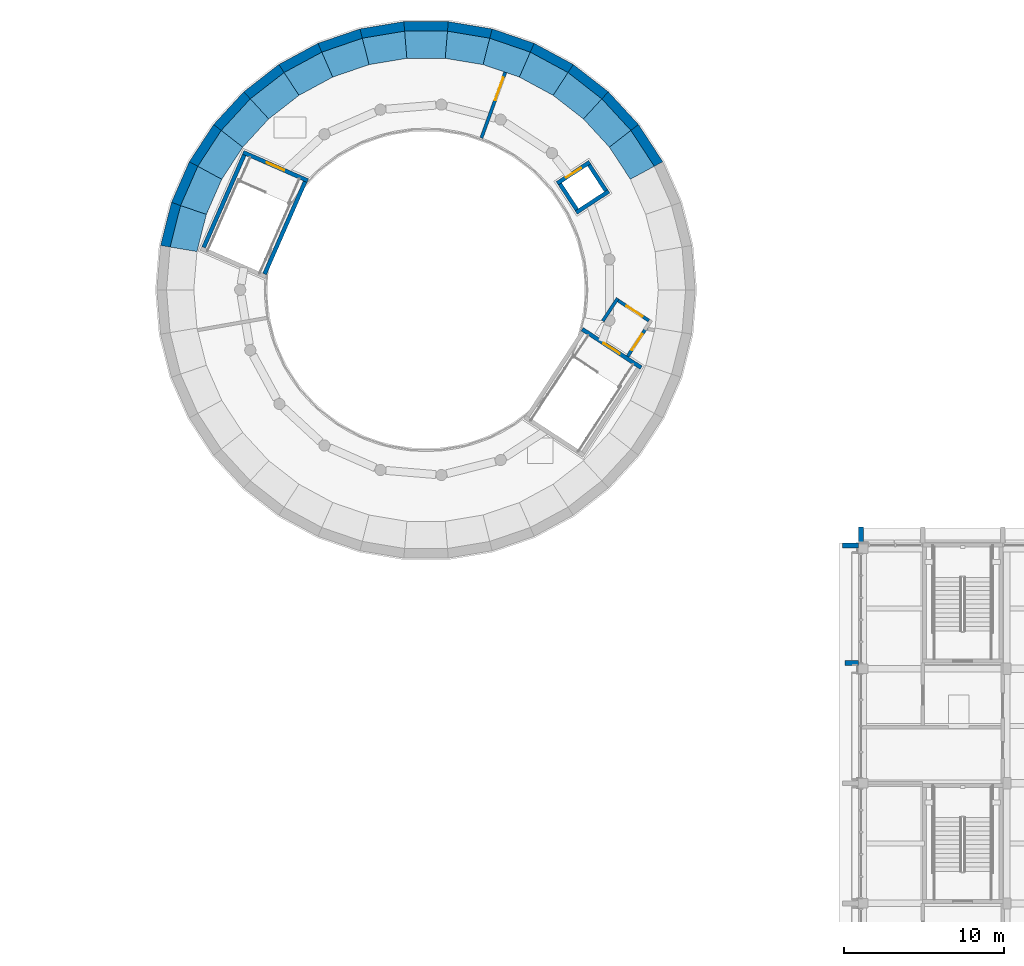
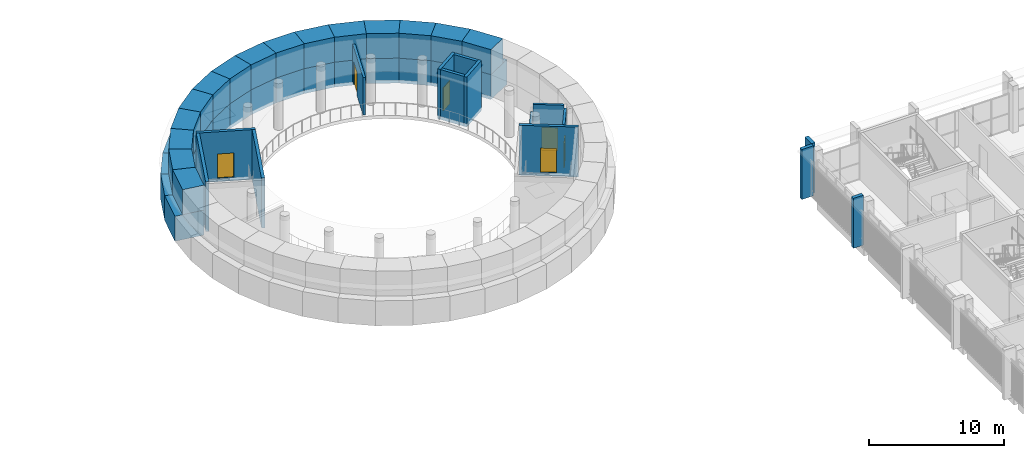
# One storey, part 53 of 92: 45 walls, 6 doors, 6 openings.
"""IFC4 building model written with IfcOpenShell, lengths in metres."""

from ifc_helpers import new_model, si_unit, direction, frame, frame_2d, origin, place, context, subcontext, project, spatial, polyline, rectangle, outline, extrude, material, layer, layer_set, type_object, element, fill, save


model = new_model("IFC4")

# Units and contexts
model_context = context("Model", 3, precision=1e-05, world=origin(), true_north=direction((0.0, 1.0)))
body_context = subcontext(model_context, "Body", "Model", "MODEL_VIEW")
ifc_project = project(units=[si_unit("LENGTHUNIT", "METRE"), si_unit("AREAUNIT", "SQUARE_METRE"), si_unit("VOLUMEUNIT", "CUBIC_METRE"), si_unit("PLANEANGLEUNIT", "RADIAN"), si_unit("MASSUNIT", "GRAM", prefix="KILO")], contexts=[model_context])

# Site, building, storey
site_placement = place(None, origin())
site = spatial("IfcSite", under=ifc_project, at=site_placement, CompositionType="ELEMENT")
building_placement = place(site_placement, origin())
building = spatial("IfcBuilding", under=site, at=building_placement, Name="Sun Court Science Centre", CompositionType="ELEMENT")
storey_placement = place(building_placement, frame((0.0, 0.0, 11.25)))
storey = spatial("IfcBuildingStorey", under=building, at=storey_placement, Name="L02", CompositionType="ELEMENT", Elevation=11.25)

# Walls
ifc_material_1 = material(Name="Concrete C30/37", Category="concrete")
ifc_layer_1 = layer(ifc_material_1, 0.300048828125)
ifc_layer_set_1 = layer_set([ifc_layer_1], Name="Concrete C30/37")
wall_type_1 = type_object("IfcWallType", Name="Facade fin RC 300", PredefinedType="SOLIDWALL", material=ifc_layer_set_1)
wall_1_placement = place(storey_placement, frame((77.14990234375, 73.5, 0.0), z_axis=(0.0, 0.0, 1.0), x_axis=(1.0, 0.0, 0.0)))
element("IfcWall", 1, at=wall_1_placement, inside=storey, type_object=wall_type_1, Name="Facade fin 10 L02", PredefinedType="SOLIDWALL", context=body_context, shape_type="SweptSolid", body=[
    extrude(rectangle(XDim=0.85009765625, YDim=0.300048828125, at=frame_2d((0.425048828125, 0.0))), origin(), (0.0, 0.0, 1.0), 4.5),
])
for number, where, z_axis, x_axis, name in (
    (2, (77.0, 80.85009765625, 0.0), (0.0, 0.0, 1.0), (1.0, 0.0, 0.0), "Facade fin 11 L02"),
    (3, (78.14990234375, 81.0, 0.0), (0.0, 0.0, 1.0), (0.0, 1.0, 0.0), "Facade fin north 01 L02"),
):
    element("IfcWall", number, at=place(storey_placement, frame(where, z_axis=z_axis, x_axis=x_axis)), inside=storey, type_object=wall_type_1, Name=name, PredefinedType="SOLIDWALL", context=body_context, shape_type="SweptSolid", body=[
        extrude(rectangle(XDim=1.0, YDim=0.300048828125, at=frame_2d((0.5, 0.0))), origin(), (0.0, 0.0, 1.0), 4.5),
    ])

# Wall, opening, door
ifc_material_2 = material(Name="Concrete block", Category="concrete")
ifc_layer_2 = layer(ifc_material_2, 0.199951171875)
ifc_layer_set_2 = layer_set([ifc_layer_2], Name="Concrete block")
wall_type_2 = type_object("IfcWallType", Name="Partition 200 block EI60", PredefinedType="PARTITIONING", material=ifc_layer_set_2)
wall_2_placement = place(storey_placement, frame((63.580810546875, 92.644287109375, 0.0), z_axis=(0.0, 0.0, 1.0), x_axis=(0.546949633936, 0.837165514063, 0.0)))
wall_2 = element("IfcWall", 4, at=wall_2_placement, inside=storey, type_object=wall_type_2, Name="L02 partition 002", PredefinedType="PARTITIONING", context=body_context, shape_type="SweptSolid", body=[
    extrude(rectangle(XDim=2.1728515625, YDim=0.199951171875, at=frame_2d((1.08642578125, 0.0))), origin(), (0.0, 0.0, 1.0), 4.199951171875),
])
opening_1_placement = place(wall_2_placement, frame((0.463134765625, 0.0, 0.0)))
opening_1 = element("IfcOpeningElement", 5, at=opening_1_placement, cuts=wall_2, Name="Opening D-L02-052", PredefinedType="OPENING", context=body_context, shape_type="SweptSolid", body=[
    extrude(rectangle(XDim=1.199951171875, YDim=2.10009765625, at=frame_2d((0.60009765625, 1.050048828125))), frame((0.0, 0.10986328125, 0.0), z_axis=(0.0, -1.0, 0.0), x_axis=(1.0, 0.0, 0.0)), (0.0, 0.0, 1.0), 0.219970703125),
])
ifc_material_3 = material(Name="Steel", Category="steel")
door_type_1 = type_object("IfcDoorType", Name="Door 1200x2100 single leaf FD60", OperationType="NOTDEFINED", PredefinedType="DOOR", material=ifc_material_3)
door_1_placement = place(opening_1_placement, origin())
door_1 = element("IfcDoor", 6, at=door_1_placement, inside=storey, type_object=door_type_1, Name="Door D-L02-052", OperationType="SINGLE_SWING_RIGHT", OverallHeight=2.10009765625, OverallWidth=1.199951171875, PredefinedType="DOOR", context=body_context, shape_type="SweptSolid", body=[
    extrude(rectangle(XDim=1.199951171875, YDim=2.10009765625, at=frame_2d((0.60009765625, 1.050048828125))), frame((0.0, 0.02490234375, 0.0), z_axis=(0.0, -1.0, 0.0), x_axis=(1.0, 0.0, 0.0)), (0.0, 0.0, 1.0), 0.050048828125),
])
fill(opening_1, door_1)

# Wall
wall_3_placement = place(storey_placement, frame((62.033447265625, 94.85400390625, 0.0), z_axis=(0.0, 0.0, 1.0), x_axis=(0.546962048529, 0.837157403043, 0.0)))
element("IfcWall", 7, at=wall_3_placement, inside=storey, type_object=wall_type_2, Name="L02 partition 004", PredefinedType="PARTITIONING", context=body_context, shape_type="SweptSolid", body=[
    extrude(rectangle(XDim=1.6943359375, YDim=0.199951171875, at=frame_2d((0.84716796875, 0.0))), origin(), (0.0, 0.0, 1.0), 3.39990234375),
])

# Wall, opening, door
wall_4_placement = place(storey_placement, frame((54.452880859375, 106.278564453125, 0.0), z_axis=(0.0, 0.0, 1.0), x_axis=(0.342044051152, 0.939683918704, 0.0)))
wall_4 = element("IfcWall", 8, at=wall_4_placement, inside=storey, type_object=wall_type_2, Name="L02 partition 005", PredefinedType="PARTITIONING", context=body_context, shape_type="SweptSolid", body=[
    extrude(rectangle(XDim=4.36328125, YDim=0.199951171875, at=frame_2d((2.181640625, 0.0))), origin(), (0.0, 0.0, 1.0), 3.39990234375),
])
opening_2_placement = place(wall_4_placement, frame((2.51318359375, 0.0, 0.0)))
opening_2 = element("IfcOpeningElement", 9, at=opening_2_placement, cuts=wall_4, Name="Opening D-L02-056", PredefinedType="OPENING", context=body_context, shape_type="SweptSolid", body=[
    extrude(rectangle(XDim=1.5, YDim=2.10009765625, at=frame_2d((0.75, 1.050048828125))), frame((0.0, 0.10986328125, 0.0), z_axis=(0.0, -1.0, 0.0), x_axis=(1.0, 0.0, 0.0)), (0.0, 0.0, 1.0), 0.219970703125),
])
ifc_material_4 = material(Name="Timber", Category="wood")
door_type_2 = type_object("IfcDoorType", Name="Door 1500x2100 double leaf", OperationType="DOUBLE_DOOR_SINGLE_SWING", PredefinedType="DOOR", material=ifc_material_4)
door_2_placement = place(opening_2_placement, origin())
door_2 = element("IfcDoor", 10, at=door_2_placement, inside=storey, type_object=door_type_2, Name="Door D-L02-056", OperationType="DOUBLE_DOOR_SINGLE_SWING", OverallHeight=2.10009765625, OverallWidth=1.5, PredefinedType="DOOR", context=body_context, shape_type="SweptSolid", body=[
    extrude(rectangle(XDim=1.5, YDim=2.10009765625, at=frame_2d((0.75, 1.050048828125))), frame((0.0, 0.02490234375, 0.0), z_axis=(0.0, -1.0, 0.0), x_axis=(1.0, 0.0, 0.0)), (0.0, 0.0, 1.0), 0.050048828125),
])
fill(opening_2, door_2)

wall_5_placement = place(storey_placement, frame((62.98779296875, 96.132568359375, 0.0), z_axis=(0.0, 0.0, 1.0), x_axis=(0.837155155432, -0.546965488613, 0.0)))
wall_5 = element("IfcWall", 11, at=wall_5_placement, inside=storey, type_object=wall_type_2, Name="L02 partition 006", PredefinedType="PARTITIONING", context=body_context, shape_type="SweptSolid", body=[
    extrude(rectangle(XDim=2.294189453125, YDim=0.199951171875, at=frame_2d((1.14697265625, 0.0))), origin(), (0.0, 0.0, 1.0), 4.199951171875),
])
opening_3_placement = place(wall_5_placement, frame((0.629150390625, 0.0, 0.0)))
opening_3 = element("IfcOpeningElement", 12, at=opening_3_placement, cuts=wall_5, Name="Opening D-L02-055", PredefinedType="OPENING", context=body_context, shape_type="SweptSolid", body=[
    extrude(rectangle(XDim=1.199951171875, YDim=2.10009765625, at=frame_2d((0.60009765625, 1.050048828125))), frame((0.0, 0.10986328125, 0.0), z_axis=(0.0, -1.0, 0.0), x_axis=(1.0, 0.0, 0.0)), (0.0, 0.0, 1.0), 0.219970703125),
])
door_3_placement = place(opening_3_placement, origin())
door_3 = element("IfcDoor", 13, at=door_3_placement, inside=storey, type_object=door_type_1, Name="Door D-L02-055", OperationType="SINGLE_SWING_LEFT", OverallHeight=2.10009765625, OverallWidth=1.199951171875, PredefinedType="DOOR", context=body_context, shape_type="SweptSolid", body=[
    extrude(rectangle(XDim=1.199951171875, YDim=2.10009765625, at=frame_2d((0.60009765625, 1.050048828125))), frame((0.0, 0.02490234375, 0.0), z_axis=(0.0, -1.0, 0.0), x_axis=(1.0, 0.0, 0.0)), (0.0, 0.0, 1.0), 0.050048828125),
])
fill(opening_3, door_3)

# Walls
ifc_material_5 = material(Name="Concrete C30/37", Category="concrete")
ifc_layer_3 = layer(ifc_material_5, 1.696044921875)
ifc_layer_set_3 = layer_set([ifc_layer_3], Name="Concrete C30/37")
wall_type_3 = type_object("IfcWallType", Name="RC drum wall exterior 1696", PredefinedType="SHEAR", material=ifc_layer_set_3)
wall_6_placement = place(storey_placement, frame((64.53759765625, 104.046630859375, 1.949951171875), z_axis=(0.0, 0.0, 1.0), x_axis=(-0.546969049206, 0.837152829065, 0.0)))
element("IfcWall", 14, at=wall_6_placement, inside=storey, type_object=wall_type_3, Name="Drum wall L02 course 2 segment 3", PredefinedType="SHEAR", context=body_context, shape_type="SweptSolid", body=[
    extrude(outline(polyline([(-0.000244140625, -0.847900390625), (2.675537109375, -0.84814453125), (2.53515625, 0.847900390625), (0.140380859375, 0.847900390625), (-0.000244140625, -0.847900390625)])), origin(), (0.0, 0.0, 1.0), 2.25),
])
wall_7_placement = place(storey_placement, frame((63.16015625, 106.176025390625, 1.949951171875), z_axis=(0.0, 0.0, 1.0), x_axis=(-0.677256164306, 0.735747298949, 0.0)))
element("IfcWall", 15, at=wall_7_placement, inside=storey, type_object=wall_type_3, Name="Drum wall L02 course 2 segment 4", PredefinedType="SHEAR", context=body_context, shape_type="SweptSolid", body=[
    extrude(outline(polyline([(-0.000244140625, -0.847900390625), (2.675537109375, -0.847900390625), (2.534912109375, 0.84814453125), (0.140380859375, 0.847900390625), (-0.000244140625, -0.847900390625)])), origin(), (0.0, 0.0, 1.0), 2.25),
])
wall_8_placement = place(storey_placement, frame((61.451171875, 108.049560546875, 1.949951171875), z_axis=(0.0, 0.0, 1.0), x_axis=(-0.789140888872, 0.614212225139, 0.0)))
element("IfcWall", 16, at=wall_8_placement, inside=storey, type_object=wall_type_3, Name="Drum wall L02 course 2 segment 5", PredefinedType="SHEAR", context=body_context, shape_type="SweptSolid", body=[
    extrude(outline(polyline([(0.0, -0.847900390625), (2.675537109375, -0.847900390625), (2.53515625, 0.847900390625), (0.140625, 0.847900390625), (0.0, -0.847900390625)])), origin(), (0.0, 0.0, 1.0), 2.25),
])
wall_9_placement = place(storey_placement, frame((59.45703125, 109.616455078125, 1.949951171875), z_axis=(0.0, 0.0, 1.0), x_axis=(-0.879467057999, 0.475959760793, 0.0)))
element("IfcWall", 17, at=wall_9_placement, inside=storey, type_object=wall_type_3, Name="Drum wall L02 course 2 segment 6", PredefinedType="SHEAR", context=body_context, shape_type="SweptSolid", body=[
    extrude(outline(polyline([(0.0, -0.847900390625), (2.675537109375, -0.847900390625), (2.534912109375, 0.84814453125), (0.140625, 0.84814453125), (0.0, -0.847900390625)])), origin(), (0.0, 0.0, 1.0), 2.25),
])
wall_10_placement = place(storey_placement, frame((57.232177734375, 110.83349609375, 1.949951171875), z_axis=(0.0, 0.0, 1.0), x_axis=(-0.945807498305, 0.32472784936, 0.0)))
element("IfcWall", 18, at=wall_10_placement, inside=storey, type_object=wall_type_3, Name="Drum wall L02 course 2 segment 7", PredefinedType="SHEAR", context=body_context, shape_type="SweptSolid", body=[
    extrude(outline(polyline([(0.0, -0.847900390625), (2.67578125, -0.847900390625), (2.53515625, 0.84814453125), (0.140380859375, 0.847900390625), (0.0, -0.847900390625)])), origin(), (0.0, 0.0, 1.0), 2.25),
])
wall_11_placement = place(storey_placement, frame((54.83740234375, 111.66796875, 1.949951171875), z_axis=(0.0, 0.0, 1.0), x_axis=(-0.986359376913, 0.164606134686, 0.0)))
element("IfcWall", 19, at=wall_11_placement, inside=storey, type_object=wall_type_3, Name="Drum wall L02 course 2 segment 8", PredefinedType="SHEAR", context=body_context, shape_type="SweptSolid", body=[
    extrude(outline(polyline([(0.000244140625, -0.847900390625), (2.675537109375, -0.84765625), (2.53515625, 0.84814453125), (0.140625, 0.84814453125), (0.000244140625, -0.847900390625)])), origin(), (0.0, 0.0, 1.0), 2.25),
])
wall_12_placement = place(storey_placement, frame((52.337890625, 112.0966796875, 1.949951171875), z_axis=(0.0, 0.0, 1.0), x_axis=(-1.0, 0.0, 0.0)))
element("IfcWall", 20, at=wall_12_placement, inside=storey, type_object=wall_type_3, Name="Drum wall L02 course 2 segment 9", PredefinedType="SHEAR", context=body_context, shape_type="SweptSolid", body=[
    extrude(outline(polyline([(0.0, -0.847900390625), (2.67578125, -0.847900390625), (2.53515625, 0.847900390625), (0.140625, 0.847900390625), (0.0, -0.847900390625)])), origin(), (0.0, 0.0, 1.0), 2.25),
])
wall_13_placement = place(storey_placement, frame((49.8017578125, 112.1083984375, 1.949951171875), z_axis=(0.0, 0.0, 1.0), x_axis=(-0.986359376913, -0.164606134686, 0.0)))
element("IfcWall", 21, at=wall_13_placement, inside=storey, type_object=wall_type_3, Name="Drum wall L02 course 2 segment 10", PredefinedType="SHEAR", context=body_context, shape_type="SweptSolid", body=[
    extrude(outline(polyline([(0.0, -0.84765625), (2.675537109375, -0.847900390625), (2.53515625, 0.84814453125), (0.140625, 0.84814453125), (0.0, -0.84765625)])), origin(), (0.0, 0.0, 1.0), 2.25),
])
wall_14_placement = place(storey_placement, frame((47.298583984375, 111.702392578125, 1.949951171875), z_axis=(0.0, 0.0, 1.0), x_axis=(-0.945807498305, -0.32472784936, 0.0)))
element("IfcWall", 22, at=wall_14_placement, inside=storey, type_object=wall_type_3, Name="Drum wall L02 course 2 segment 11", PredefinedType="SHEAR", context=body_context, shape_type="SweptSolid", body=[
    extrude(outline(polyline([(0.0, -0.847900390625), (2.67578125, -0.847900390625), (2.535400390625, 0.847900390625), (0.140625, 0.84814453125), (0.0, -0.847900390625)])), origin(), (0.0, 0.0, 1.0), 2.25),
])
wall_15_placement = place(storey_placement, frame((44.89599609375, 110.889892578125, 1.949951171875), z_axis=(0.0, 0.0, 1.0), x_axis=(-0.879467057999, -0.475959760793, 0.0)))
element("IfcWall", 23, at=wall_15_placement, inside=storey, type_object=wall_type_3, Name="Drum wall L02 course 2 segment 12", PredefinedType="SHEAR", context=body_context, shape_type="SweptSolid", body=[
    extrude(outline(polyline([(0.0, -0.847900390625), (2.675537109375, -0.847900390625), (2.534912109375, 0.84814453125), (0.140625, 0.84814453125), (0.0, -0.847900390625)])), origin(), (0.0, 0.0, 1.0), 2.25),
])
wall_16_placement = place(storey_placement, frame((42.66015625, 109.69287109375, 1.949951171875), z_axis=(0.0, 0.0, 1.0), x_axis=(-0.789140888872, -0.614212225139, 0.0)))
element("IfcWall", 24, at=wall_16_placement, inside=storey, type_object=wall_type_3, Name="Drum wall L02 course 2 segment 13", PredefinedType="SHEAR", context=body_context, shape_type="SweptSolid", body=[
    extrude(outline(polyline([(0.0, -0.847900390625), (2.67529296875, -0.847900390625), (2.534912109375, 0.847900390625), (0.140380859375, 0.847900390625), (0.0, -0.847900390625)])), origin(), (0.0, 0.0, 1.0), 2.25),
])
wall_17_placement = place(storey_placement, frame((40.65185546875, 108.14453125, 1.949951171875), z_axis=(0.0, 0.0, 1.0), x_axis=(-0.677256164306, -0.735747298949, 0.0)))
element("IfcWall", 25, at=wall_17_placement, inside=storey, type_object=wall_type_3, Name="Drum wall L02 course 2 segment 14", PredefinedType="SHEAR", context=body_context, shape_type="SweptSolid", body=[
    extrude(outline(polyline([(0.0, -0.847900390625), (2.67578125, -0.847900390625), (2.53515625, 0.847900390625), (0.140380859375, 0.84814453125), (0.0, -0.847900390625)])), origin(), (0.0, 0.0, 1.0), 2.25),
])
wall_18_placement = place(storey_placement, frame((38.92578125, 106.286376953125, 1.949951171875), z_axis=(0.0, 0.0, 1.0), x_axis=(-0.546969049206, -0.837152829065, 0.0)))
element("IfcWall", 26, at=wall_18_placement, inside=storey, type_object=wall_type_3, Name="Drum wall L02 course 2 segment 15", PredefinedType="SHEAR", context=body_context, shape_type="SweptSolid", body=[
    extrude(outline(polyline([(0.0, -0.84814453125), (2.675537109375, -0.847900390625), (2.534912109375, 0.847900390625), (0.140380859375, 0.847900390625), (0.0, -0.84814453125)])), origin(), (0.0, 0.0, 1.0), 2.25),
])
wall_19_placement = place(storey_placement, frame((37.529052734375, 104.169677734375, 1.949951171875), z_axis=(0.0, 0.0, 1.0), x_axis=(-0.401680291361, -0.915779964583, 0.0)))
element("IfcWall", 27, at=wall_19_placement, inside=storey, type_object=wall_type_3, Name="Drum wall L02 course 2 segment 16", PredefinedType="SHEAR", context=body_context, shape_type="SweptSolid", body=[
    extrude(outline(polyline([(0.0, -0.847900390625), (2.675537109375, -0.847900390625), (2.534912109375, 0.847900390625), (0.140625, 0.847900390625), (0.0, -0.847900390625)])), origin(), (0.0, 0.0, 1.0), 2.25),
])
wall_20_placement = place(storey_placement, frame((36.499755859375, 101.85205078125, 1.949951171875), z_axis=(0.0, 0.0, 1.0), x_axis=(-0.245454430511, -0.969408130017, 0.0)))
element("IfcWall", 28, at=wall_20_placement, inside=storey, type_object=wall_type_3, Name="Drum wall L02 course 2 segment 17", PredefinedType="SHEAR", context=body_context, shape_type="SweptSolid", body=[
    extrude(outline(polyline([(0.000244140625, -0.847900390625), (2.67578125, -0.847900390625), (2.53515625, 0.847900390625), (0.140625, 0.84814453125), (0.000244140625, -0.847900390625)])), origin(), (0.0, 0.0, 1.0), 2.25),
])
ifc_material_6 = material(Name="Concrete C30/37", Category="concrete")
ifc_layer_4 = layer(ifc_material_6, 2.2939453125)
ifc_layer_set_4 = layer_set([ifc_layer_4], Name="Concrete C30/37")
wall_type_4 = type_object("IfcWallType", Name="RC drum wall exterior 2294", PredefinedType="SHEAR", material=ifc_layer_set_4)
wall_21_placement = place(storey_placement, frame((64.81494140625, 104.168701171875, -0.300048828125), z_axis=(0.0, 0.0, 1.0), x_axis=(-0.546960095535, 0.83715867904, 0.0)))
element("IfcWall", 29, at=wall_21_placement, inside=storey, type_object=wall_type_4, Name="Drum wall L02 course 1 segment 3", PredefinedType="SHEAR", context=body_context, shape_type="SweptSolid", body=[
    extrude(outline(polyline([(-0.000244140625, -1.14697265625), (2.774658203125, -1.14697265625), (2.58447265625, 1.14697265625), (0.18994140625, 1.146728515625), (-0.000244140625, -1.14697265625)])), origin(), (0.0, 0.0, 1.0), 2.25),
])
wall_22_placement = place(storey_placement, frame((63.413818359375, 106.342041015625, -0.300048828125), z_axis=(0.0, 0.0, 1.0), x_axis=(-0.677336688258, 0.735673168424, 0.0)))
element("IfcWall", 30, at=wall_22_placement, inside=storey, type_object=wall_type_4, Name="Drum wall L02 course 1 segment 4", PredefinedType="SHEAR", context=body_context, shape_type="SweptSolid", body=[
    extrude(outline(polyline([(0.0, -1.14697265625), (2.7744140625, -1.147216796875), (2.584716796875, 1.14697265625), (0.190185546875, 1.14697265625), (0.0, -1.14697265625)])), origin(), (0.0, 0.0, 1.0), 2.25),
])
wall_23_placement = place(storey_placement, frame((61.673828125, 108.255126953125, -0.300048828125), z_axis=(0.0, 0.0, 1.0), x_axis=(-0.789143690206, 0.614208625963, 0.0)))
element("IfcWall", 31, at=wall_23_placement, inside=storey, type_object=wall_type_4, Name="Drum wall L02 course 1 segment 5", PredefinedType="SHEAR", context=body_context, shape_type="SweptSolid", body=[
    extrude(outline(polyline([(-0.000244140625, -1.14697265625), (2.774658203125, -1.14697265625), (2.584716796875, 1.14697265625), (0.190185546875, 1.14697265625), (-0.000244140625, -1.14697265625)])), origin(), (0.0, 0.0, 1.0), 2.25),
])
wall_24_placement = place(storey_placement, frame((59.642822265625, 109.855712890625, -0.300048828125), z_axis=(0.0, 0.0, 1.0), x_axis=(-0.879474616981, 0.475945793222, 0.0)))
element("IfcWall", 32, at=wall_24_placement, inside=storey, type_object=wall_type_4, Name="Drum wall L02 course 1 segment 6", PredefinedType="SHEAR", context=body_context, shape_type="SweptSolid", body=[
    extrude(outline(polyline([(0.0, -1.14697265625), (2.774658203125, -1.14697265625), (2.58447265625, 1.14697265625), (0.190185546875, 1.14697265625), (0.0, -1.14697265625)])), origin(), (0.0, 0.0, 1.0), 2.25),
])
wall_25_placement = place(storey_placement, frame((57.3759765625, 111.10009765625, -0.300048828125), z_axis=(0.0, 0.0, 1.0), x_axis=(-0.945793902018, 0.324767447423, 0.0)))
element("IfcWall", 33, at=wall_25_placement, inside=storey, type_object=wall_type_4, Name="Drum wall L02 course 1 segment 7", PredefinedType="SHEAR", context=body_context, shape_type="SweptSolid", body=[
    extrude(outline(polyline([(0.0, -1.147216796875), (2.774658203125, -1.14697265625), (2.58447265625, 1.147216796875), (0.18994140625, 1.146728515625), (0.0, -1.147216796875)])), origin(), (0.0, 0.0, 1.0), 2.25),
])
wall_26_placement = place(storey_placement, frame((54.935302734375, 111.95458984375, -0.300048828125), z_axis=(0.0, 0.0, 1.0), x_axis=(-0.986355848148, 0.164627278491, 0.0)))
element("IfcWall", 34, at=wall_26_placement, inside=storey, type_object=wall_type_4, Name="Drum wall L02 course 1 segment 8", PredefinedType="SHEAR", context=body_context, shape_type="SweptSolid", body=[
    extrude(outline(polyline([(-0.000244140625, -1.14697265625), (2.774658203125, -1.146728515625), (2.58447265625, 1.14697265625), (0.18994140625, 1.14697265625), (-0.000244140625, -1.14697265625)])), origin(), (0.0, 0.0, 1.0), 2.25),
])
wall_27_placement = place(storey_placement, frame((52.387451171875, 112.395751953125, -0.300048828125), z_axis=(0.0, 0.0, 1.0), x_axis=(-1.0, 0.0, 0.0)))
element("IfcWall", 35, at=wall_27_placement, inside=storey, type_object=wall_type_4, Name="Drum wall L02 course 1 segment 9", PredefinedType="SHEAR", context=body_context, shape_type="SweptSolid", body=[
    extrude(outline(polyline([(0.000244140625, -1.146728515625), (2.774658203125, -1.146728515625), (2.584716796875, 1.14697265625), (0.190185546875, 1.14697265625), (0.000244140625, -1.146728515625)])), origin(), (0.0, 0.0, 1.0), 2.25),
])
wall_28_placement = place(storey_placement, frame((49.801513671875, 112.411376953125, -0.300048828125), z_axis=(0.0, 0.0, 1.0), x_axis=(-0.986355848148, -0.164627278491, 0.0)))
element("IfcWall", 36, at=wall_28_placement, inside=storey, type_object=wall_type_4, Name="Drum wall L02 course 1 segment 10", PredefinedType="SHEAR", context=body_context, shape_type="SweptSolid", body=[
    extrude(outline(polyline([(0.0, -1.146728515625), (2.77490234375, -1.14697265625), (2.584716796875, 1.14697265625), (0.190185546875, 1.14697265625), (0.0, -1.146728515625)])), origin(), (0.0, 0.0, 1.0), 2.25),
])
wall_29_placement = place(storey_placement, frame((47.248291015625, 112.001220703125, -0.300048828125), z_axis=(0.0, 0.0, 1.0), x_axis=(-0.945793902018, -0.324767447423, 0.0)))
element("IfcWall", 37, at=wall_29_placement, inside=storey, type_object=wall_type_4, Name="Drum wall L02 course 1 segment 11", PredefinedType="SHEAR", context=body_context, shape_type="SweptSolid", body=[
    extrude(outline(polyline([(0.0, -1.14697265625), (2.774658203125, -1.147216796875), (2.584716796875, 1.146728515625), (0.190185546875, 1.147216796875), (0.0, -1.14697265625)])), origin(), (0.0, 0.0, 1.0), 2.25),
])
wall_30_placement = place(storey_placement, frame((44.79736328125, 111.17626953125, -0.300048828125), z_axis=(0.0, 0.0, 1.0), x_axis=(-0.879474616981, -0.475945793222, 0.0)))
element("IfcWall", 38, at=wall_30_placement, inside=storey, type_object=wall_type_4, Name="Drum wall L02 course 1 segment 12", PredefinedType="SHEAR", context=body_context, shape_type="SweptSolid", body=[
    extrude(outline(polyline([(0.0, -1.14697265625), (2.774658203125, -1.14697265625), (2.58447265625, 1.14697265625), (0.190185546875, 1.14697265625), (0.0, -1.14697265625)])), origin(), (0.0, 0.0, 1.0), 2.25),
])
wall_31_placement = place(storey_placement, frame((42.515625, 109.959228515625, -0.300048828125), z_axis=(0.0, 0.0, 1.0), x_axis=(-0.789143690206, -0.614208625963, 0.0)))
element("IfcWall", 39, at=wall_31_placement, inside=storey, type_object=wall_type_4, Name="Drum wall L02 course 1 segment 13", PredefinedType="SHEAR", context=body_context, shape_type="SweptSolid", body=[
    extrude(outline(polyline([(-0.000244140625, -1.14697265625), (2.774658203125, -1.14697265625), (2.584228515625, 1.14697265625), (0.18994140625, 1.14697265625), (-0.000244140625, -1.14697265625)])), origin(), (0.0, 0.0, 1.0), 2.25),
])
wall_32_placement = place(storey_placement, frame((40.465576171875, 108.38330078125, -0.300048828125), z_axis=(0.0, 0.0, 1.0), x_axis=(-0.677336688258, -0.735673168424, 0.0)))
element("IfcWall", 40, at=wall_32_placement, inside=storey, type_object=wall_type_4, Name="Drum wall L02 course 1 segment 14", PredefinedType="SHEAR", context=body_context, shape_type="SweptSolid", body=[
    extrude(outline(polyline([(0.000244140625, -1.147216796875), (2.774658203125, -1.14697265625), (2.58447265625, 1.14697265625), (0.18994140625, 1.14697265625), (0.000244140625, -1.147216796875)])), origin(), (0.0, 0.0, 1.0), 2.25),
])
wall_33_placement = place(storey_placement, frame((38.70263671875, 106.491455078125, -0.300048828125), z_axis=(0.0, 0.0, 1.0), x_axis=(-0.546960095535, -0.83715867904, 0.0)))
element("IfcWall", 41, at=wall_33_placement, inside=storey, type_object=wall_type_4, Name="Drum wall L02 course 1 segment 15", PredefinedType="SHEAR", context=body_context, shape_type="SweptSolid", body=[
    extrude(outline(polyline([(0.0, -1.14697265625), (2.774658203125, -1.14697265625), (2.584716796875, 1.146728515625), (0.18994140625, 1.14697265625), (0.0, -1.14697265625)])), origin(), (0.0, 0.0, 1.0), 2.25),
])
wall_34_placement = place(storey_placement, frame((37.275146484375, 104.335205078125, -0.300048828125), z_axis=(0.0, 0.0, 1.0), x_axis=(-0.401667968165, -0.915785369696, 0.0)))
element("IfcWall", 42, at=wall_34_placement, inside=storey, type_object=wall_type_4, Name="Drum wall L02 course 1 segment 16", PredefinedType="SHEAR", context=body_context, shape_type="SweptSolid", body=[
    extrude(outline(polyline([(0.0, -1.14697265625), (2.774658203125, -1.14697265625), (2.584716796875, 1.14697265625), (0.190185546875, 1.146728515625), (0.0, -1.14697265625)])), origin(), (0.0, 0.0, 1.0), 2.25),
])
wall_35_placement = place(storey_placement, frame((36.22216796875, 101.973388671875, -0.300048828125), z_axis=(0.0, 0.0, 1.0), x_axis=(-0.24549513697, -0.96939782222, 0.0)))
element("IfcWall", 43, at=wall_35_placement, inside=storey, type_object=wall_type_4, Name="Drum wall L02 course 1 segment 17", PredefinedType="SHEAR", context=body_context, shape_type="SweptSolid", body=[
    extrude(outline(polyline([(0.0, -1.14697265625), (2.774658203125, -1.14697265625), (2.584716796875, 1.14697265625), (0.190185546875, 1.14697265625), (0.0, -1.14697265625)])), origin(), (0.0, 0.0, 1.0), 2.25),
])
ifc_material_7 = material(Name="Concrete C30/37", Category="concrete")
ifc_layer_5 = layer(ifc_material_7, 0.25)
ifc_layer_set_5 = layer_set([ifc_layer_5], Name="Concrete C30/37")
wall_type_5 = type_object("IfcWallType", Name="RC shaft wall 250", PredefinedType="SHEAR", material=ifc_layer_set_5)
wall_36_placement = place(storey_placement, frame((60.37451171875, 101.625732421875, -0.300048828125), z_axis=(0.0, 0.0, 1.0), x_axis=(0.83717173143, 0.546940117467, 0.0)))
element("IfcWall", 44, at=wall_36_placement, inside=storey, type_object=wall_type_5, Name="Lift core PL1 wall S, L02", PredefinedType="SHEAR", context=body_context, shape_type="SweptSolid", body=[
    extrude(rectangle(XDim=2.425048828125, YDim=0.25, at=frame_2d((1.21240234375, 0.0))), origin(), (0.0, 0.0, 1.0), 4.5),
])
wall_37_placement = place(storey_placement, frame((62.231689453125, 102.98828125, -0.300048828125), z_axis=(0.0, 0.0, 1.0), x_axis=(-0.546979396142, 0.837146068614, 0.0)))
element("IfcWall", 45, at=wall_37_placement, inside=storey, type_object=wall_type_5, Name="Lift core PL1 wall E, L02", PredefinedType="SHEAR", context=body_context, shape_type="SweptSolid", body=[
    extrude(rectangle(XDim=1.925048828125, YDim=0.25, at=frame_2d((0.96240234375, 0.0))), origin(), (0.0, 0.0, 1.0), 4.5),
])

# Wall, opening, door
wall_38_placement = place(storey_placement, frame((59.18505859375, 103.446533203125, -0.300048828125), z_axis=(0.0, 0.0, 1.0), x_axis=(0.837141612847, 0.546986215586, 0.0)))
wall_38 = element("IfcWall", 46, at=wall_38_placement, inside=storey, type_object=wall_type_5, Name="Lift core PL1 wall N, L02", PredefinedType="SHEAR", context=body_context, shape_type="SweptSolid", body=[
    extrude(rectangle(XDim=2.425048828125, YDim=0.25, at=frame_2d((1.21240234375, 0.0))), origin(), (0.0, 0.0, 1.0), 4.5),
])
opening_4_placement = place(wall_38_placement, frame((0.66259765625, 0.0, 0.300048828125)))
opening_4 = element("IfcOpeningElement", 47, at=opening_4_placement, cuts=wall_38, Name="Opening D-L02-054", PredefinedType="OPENING", context=body_context, shape_type="SweptSolid", body=[
    extrude(rectangle(XDim=1.10009765625, YDim=2.10009765625, at=frame_2d((0.550048828125, 1.050048828125))), frame((0.0, 0.135009765625, 0.0), z_axis=(0.0, -1.0, 0.0), x_axis=(1.0, 0.0, 0.0)), (0.0, 0.0, 1.0), 0.27001953125),
])
ifc_material_8 = material(Name="Steel", Category="steel")
door_type_3 = type_object("IfcDoorType", Name="Lift landing door 1100x2100 sliding", OperationType="DOUBLE_DOOR_SLIDING", PredefinedType="DOOR", material=ifc_material_8)
door_4_placement = place(opening_4_placement, origin())
door_4 = element("IfcDoor", 48, at=door_4_placement, inside=storey, type_object=door_type_3, Name="Lift landing door D-L02-054", OperationType="DOUBLE_DOOR_SLIDING", OverallHeight=2.10009765625, OverallWidth=1.10009765625, PredefinedType="DOOR", context=body_context, shape_type="SweptSolid", body=[
    extrude(rectangle(XDim=1.10009765625, YDim=2.10009765625, at=frame_2d((0.550048828125, 1.050048828125))), frame((0.0, 0.02490234375, 0.0), z_axis=(0.0, -1.0, 0.0), x_axis=(1.0, 0.0, 0.0)), (0.0, 0.0, 1.0), 0.050048828125),
])
fill(opening_4, door_4)

# Wall
wall_39_placement = place(storey_placement, frame((60.410888671875, 101.798828125, -0.300048828125), z_axis=(0.0, 0.0, 1.0), x_axis=(-0.547037472582, 0.837108119416, 0.0)))
element("IfcWall", 49, at=wall_39_placement, inside=storey, type_object=wall_type_5, Name="Lift core PL1 wall W, L02", PredefinedType="SHEAR", context=body_context, shape_type="SweptSolid", body=[
    extrude(rectangle(XDim=1.9248046875, YDim=0.25, at=frame_2d((0.96240234375, 0.0))), origin(), (0.0, 0.0, 1.0), 4.5),
])

# Wall, opening, door
ifc_material_9 = material(Name="Concrete C30/37", Category="concrete")
ifc_layer_6 = layer(ifc_material_9, 0.25)
ifc_layer_set_6 = layer_set([ifc_layer_6], Name="Concrete C30/37")
wall_type_6 = type_object("IfcWallType", Name="RC stair core wall 250", PredefinedType="SHEAR", material=ifc_layer_set_6)
wall_40_placement = place(storey_placement, frame((60.744384765625, 94.345703125, -0.300048828125), z_axis=(0.0, 0.0, 1.0), x_axis=(0.837178733665, -0.546929399373, 0.0)))
wall_40 = element("IfcWall", 50, at=wall_40_placement, inside=storey, type_object=wall_type_6, Name="Stair core PS1 wall N, L02", PredefinedType="SHEAR", context=body_context, shape_type="SweptSolid", body=[
    extrude(rectangle(XDim=4.39990234375, YDim=0.25, at=frame_2d((2.199951171875, 0.0))), origin(), (0.0, 0.0, 1.0), 4.5),
])
opening_5_placement = place(wall_40_placement, frame((1.6005859375, 0.0, 0.300048828125)))
opening_5 = element("IfcOpeningElement", 51, at=opening_5_placement, cuts=wall_40, Name="Opening D-L02-051", PredefinedType="OPENING", context=body_context, shape_type="SweptSolid", body=[
    extrude(rectangle(XDim=1.199951171875, YDim=2.199951171875, at=frame_2d((0.60009765625, 1.10009765625))), frame((0.0, 0.135009765625, 0.0), z_axis=(0.0, -1.0, 0.0), x_axis=(1.0, 0.0, 0.0)), (0.0, 0.0, 1.0), 0.27001953125),
])
ifc_material_10 = material(Name="Steel", Category="steel")
door_type_4 = type_object("IfcDoorType", Name="Door 1200x2200 single leaf FD60", OperationType="NOTDEFINED", PredefinedType="DOOR", material=ifc_material_10)
door_5_placement = place(opening_5_placement, origin())
door_5 = element("IfcDoor", 52, at=door_5_placement, inside=storey, type_object=door_type_4, Name="Door D-L02-051", OperationType="SINGLE_SWING_RIGHT", OverallHeight=2.199951171875, OverallWidth=1.199951171875, PredefinedType="DOOR", context=body_context, shape_type="SweptSolid", body=[
    extrude(rectangle(XDim=1.199951171875, YDim=2.199951171875, at=frame_2d((0.60009765625, 1.10009765625))), frame((0.0, 0.02490234375, 0.0), z_axis=(0.0, -1.0, 0.0), x_axis=(1.0, 0.0, 0.0)), (0.0, 0.0, 1.0), 0.050048828125),
])
fill(opening_5, door_5)

wall_41_placement = place(storey_placement, frame((43.61572265625, 103.615234375, -0.300048828125), z_axis=(0.0, 0.0, 1.0), x_axis=(-0.915768514631, 0.401706394785, 0.0)))
wall_41 = element("IfcWall", 53, at=wall_41_placement, inside=storey, type_object=wall_type_6, Name="Stair core PS2 wall S, L02", PredefinedType="SHEAR", context=body_context, shape_type="SweptSolid", body=[
    extrude(rectangle(XDim=4.400146484375, YDim=0.25, at=frame_2d((2.2001953125, 0.0))), origin(), (0.0, 0.0, 1.0), 4.5),
])
opening_6_placement = place(wall_41_placement, frame((1.60009765625, 0.0, 0.300048828125)))
opening_6 = element("IfcOpeningElement", 54, at=opening_6_placement, cuts=wall_41, Name="Opening D-L02-053", PredefinedType="OPENING", context=body_context, shape_type="SweptSolid", body=[
    extrude(rectangle(XDim=1.199951171875, YDim=2.199951171875, at=frame_2d((0.60009765625, 1.10009765625))), frame((0.0, 0.135009765625, 0.0), z_axis=(0.0, -1.0, 0.0), x_axis=(1.0, 0.0, 0.0)), (0.0, 0.0, 1.0), 0.27001953125),
])
door_6_placement = place(opening_6_placement, origin())
door_6 = element("IfcDoor", 55, at=door_6_placement, inside=storey, type_object=door_type_4, Name="Door D-L02-053", OperationType="SINGLE_SWING_LEFT", OverallHeight=2.199951171875, OverallWidth=1.199951171875, PredefinedType="DOOR", context=body_context, shape_type="SweptSolid", body=[
    extrude(rectangle(XDim=1.199951171875, YDim=2.199951171875, at=frame_2d((0.60009765625, 1.10009765625))), frame((0.0, 0.02490234375, 0.0), z_axis=(0.0, -1.0, 0.0), x_axis=(1.0, 0.0, 0.0)), (0.0, 0.0, 1.0), 0.050048828125),
])
fill(opening_6, door_6)

# Walls
wall_42_placement = place(storey_placement, frame((39.650634765625, 105.218017578125, -0.300048828125), z_axis=(0.0, 0.0, 1.0), x_axis=(-0.401711100828, -0.915766450287, 0.0)))
element("IfcWall", 56, at=wall_42_placement, inside=storey, type_object=wall_type_6, Name="Stair core PS2 wall E, L02", PredefinedType="SHEAR", context=body_context, shape_type="SweptSolid", body=[
    extrude(rectangle(XDim=6.300048828125, YDim=0.25, at=frame_2d((3.14990234375, 0.0))), origin(), (0.0, 0.0, 1.0), 4.5),
])
wall_43_placement = place(storey_placement, frame((43.450927734375, 103.551025390625, -0.300048828125), z_axis=(0.0, 0.0, 1.0), x_axis=(-0.401678600913, -0.915780706047, 0.0)))
element("IfcWall", 57, at=wall_43_placement, inside=storey, type_object=wall_type_6, Name="Stair core PS2 wall W, L02", PredefinedType="SHEAR", context=body_context, shape_type="SweptSolid", body=[
    extrude(rectangle(XDim=6.2998046875, YDim=0.25, at=frame_2d((3.14990234375, 0.0))), origin(), (0.0, 0.0, 1.0), 4.5),
])

save(model, "model.ifc")
